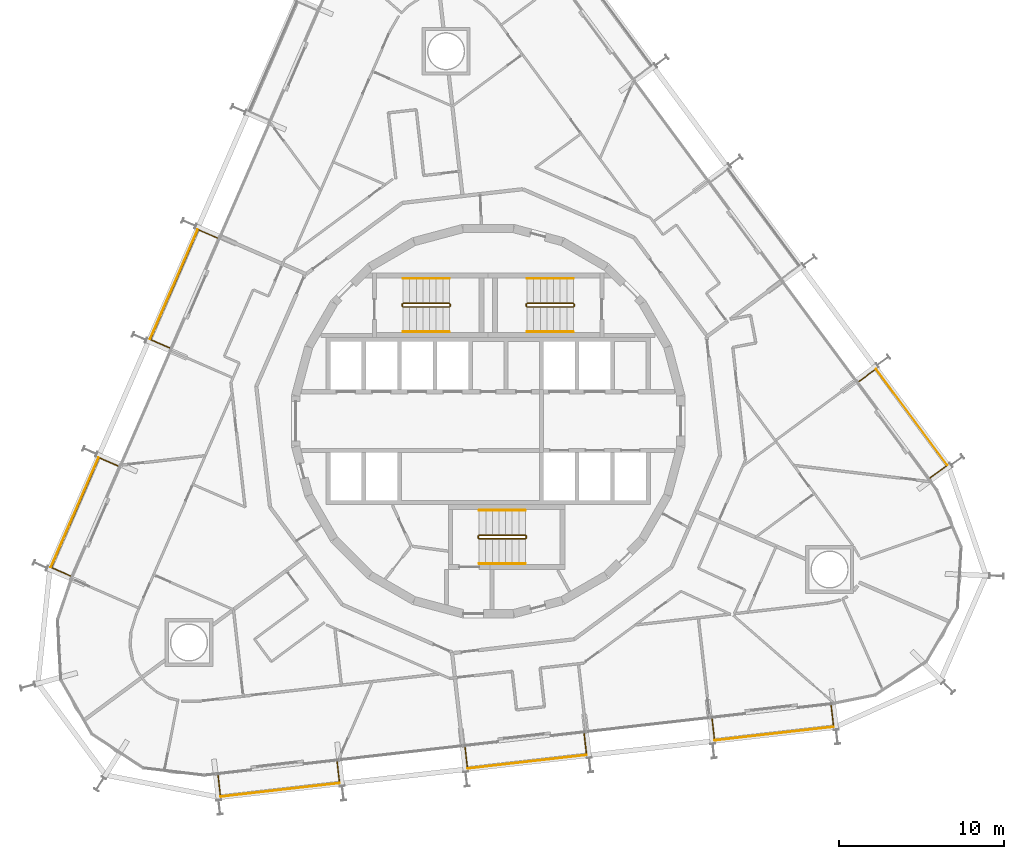
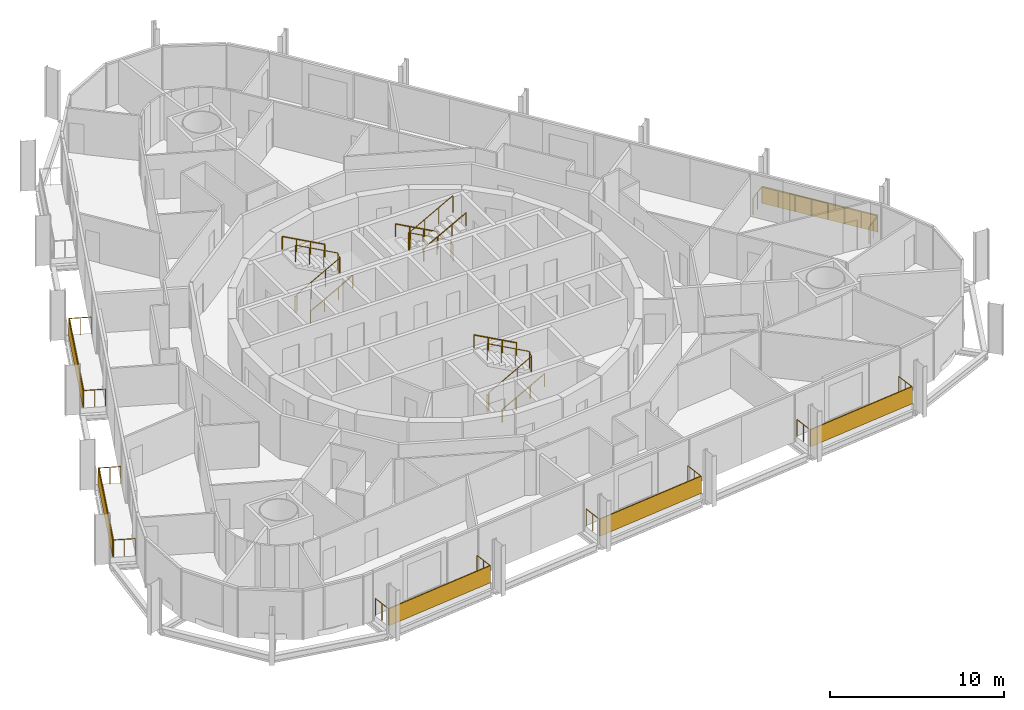
# One storey, part 23 of 24: 15 railings, 6 shading devices.
"""IFC4 building model written with IfcOpenShell, lengths in metres."""

from ifc_helpers import new_model, si_unit, direction, frame, origin, origin_2d, place, context, subcontext, project, spatial, rectangle, circle, extrude, material, layer, layer_set, type_object, element, save


model = new_model("IFC4")

# Units and contexts
model_context = context("Model", 3, precision=1e-05, world=origin(), true_north=direction((0.0, 1.0)))
body_context = subcontext(model_context, "Body", "Model", "MODEL_VIEW")
ifc_project = project(units=[si_unit("LENGTHUNIT", "METRE"), si_unit("AREAUNIT", "SQUARE_METRE"), si_unit("VOLUMEUNIT", "CUBIC_METRE"), si_unit("PLANEANGLEUNIT", "RADIAN"), si_unit("MASSUNIT", "GRAM", prefix="KILO")], contexts=[model_context])

# Site, building, storey
site_placement = place(None, origin())
site = spatial("IfcSite", under=ifc_project, at=site_placement, CompositionType="ELEMENT")
building_placement = place(site_placement, origin())
building = spatial("IfcBuilding", under=site, at=building_placement, Name="Spindle Arch Residences", CompositionType="ELEMENT")
storey_placement = place(building_placement, frame((0.0, 0.0, 94.199951171875)))
storey = spatial("IfcBuildingStorey", under=building, at=storey_placement, Name="L22", CompositionType="ELEMENT", Elevation=94.199951171875)

# Railings
ifc_material_1 = material(Name="Bronze anodised aluminium guard with glass infill", Category="aluminium")
railing_type_1 = type_object("IfcRailingType", Name="Balcony guard 1200", PredefinedType="GUARDRAIL", material=ifc_material_1)
railing_1_placement = place(storey_placement, frame((13.54150390625, -18.030517578125, 0.0)))
element("IfcRailing", 1, at=railing_1_placement, inside=storey, type_object=railing_type_1, Name="Guard L22 bay 2", PredefinedType="GUARDRAIL", context=body_context, shape_type="SweptSolid", body=[
    extrude(circle(Radius=0.02392578125, at=origin_2d()), frame((0.0, 0.0, 1.17578125), z_axis=(0.113089367196, -0.993584820248, 0.0), x_axis=(0.993584820248, 0.113089367196, 0.0)), (0.0, 0.0, 1.0), 1.25),
    extrude(circle(Radius=0.02392578125, at=origin_2d()), frame((0.141357421875, -1.241943359375, 1.17578125), z_axis=(0.993572236179, 0.113199874095, 0.0), x_axis=(-0.113199874095, 0.993572236179, 0.0)), (0.0, 0.0, 1.0), 7.248779296875),
    extrude(circle(Radius=0.02392578125, at=origin_2d()), frame((7.343505859375, -0.42138671875, 1.17578125), z_axis=(-0.113089367196, 0.993584820248, 0.0), x_axis=(-0.993584820248, -0.113089367196, 0.0)), (0.0, 0.0, 1.0), 1.25),
    extrude(circle(Radius=0.02099609375, at=origin_2d()), origin(), (0.0, 0.0, 1.0), 1.15185546875),
    extrude(circle(Radius=0.02099609375, at=origin_2d()), frame((0.07080078125, -0.62109375, 0.0)), (0.0, 0.0, 1.0), 1.15185546875),
    extrude(circle(Radius=0.02099609375, at=origin_2d()), frame((0.141357421875, -1.241943359375, 0.0)), (0.0, 0.0, 1.0), 1.15185546875),
    extrude(circle(Radius=0.02099609375, at=origin_2d()), frame((1.170166015625, -1.124755859375, 0.0)), (0.0, 0.0, 1.0), 1.15185546875),
    extrude(circle(Radius=0.02099609375, at=origin_2d()), frame((2.19921875, -1.007568359375, 0.0)), (0.0, 0.0, 1.0), 1.15185546875),
    extrude(circle(Radius=0.02099609375, at=origin_2d()), frame((3.22802734375, -0.890380859375, 0.0)), (0.0, 0.0, 1.0), 1.15185546875),
    extrude(circle(Radius=0.02099609375, at=origin_2d()), frame((4.2568359375, -0.77294921875, 0.0)), (0.0, 0.0, 1.0), 1.15185546875),
    extrude(circle(Radius=0.02099609375, at=origin_2d()), frame((5.28564453125, -0.65576171875, 0.0)), (0.0, 0.0, 1.0), 1.15185546875),
    extrude(circle(Radius=0.02099609375, at=origin_2d()), frame((6.314697265625, -0.53857421875, 0.0)), (0.0, 0.0, 1.0), 1.15185546875),
    extrude(circle(Radius=0.02099609375, at=origin_2d()), frame((7.343505859375, -0.42138671875, 0.0)), (0.0, 0.0, 1.0), 1.15185546875),
    extrude(circle(Radius=0.02099609375, at=origin_2d()), frame((7.27294921875, 0.19970703125, 0.0)), (0.0, 0.0, 1.0), 1.15185546875),
    extrude(circle(Radius=0.02099609375, at=origin_2d()), frame((7.2021484375, 0.820556640625, 0.0)), (0.0, 0.0, 1.0), 1.15185546875),
])
railing_2_placement = place(storey_placement, frame((26.733642578125, -3.433837890625, 0.0)))
element("IfcRailing", 2, at=railing_2_placement, inside=storey, type_object=railing_type_1, Name="Guard L22 bay 6", PredefinedType="GUARDRAIL", context=body_context, shape_type="SweptSolid", body=[
    extrude(circle(Radius=0.02392578125, at=origin_2d()), frame((0.0, 0.0, 1.17578125), z_axis=(0.803826957932, 0.594863195787, 0.0), x_axis=(-0.594863195787, 0.803826957932, 0.0)), (0.0, 0.0, 1.0), 1.250244140625),
    extrude(circle(Radius=0.02392578125, at=origin_2d()), frame((1.0048828125, 0.74365234375, 1.17578125), z_axis=(-0.594830382786, 0.803851239792, 0.0), x_axis=(-0.803851239792, -0.594830382786, 0.0)), (0.0, 0.0, 1.0), 7.248779296875),
    extrude(circle(Radius=0.02392578125, at=origin_2d()), frame((-3.306884765625, 6.570556640625, 1.17578125), z_axis=(-0.803920341668, -0.594736987459, 0.0), x_axis=(0.594736987459, -0.803920341668, 0.0)), (0.0, 0.0, 1.0), 1.25),
    extrude(circle(Radius=0.02099609375, at=origin_2d()), origin(), (0.0, 0.0, 1.0), 1.15185546875),
    extrude(circle(Radius=0.02099609375, at=origin_2d()), frame((0.50244140625, 0.371826171875, 0.0)), (0.0, 0.0, 1.0), 1.15185546875),
    extrude(circle(Radius=0.02099609375, at=origin_2d()), frame((1.0048828125, 0.74365234375, 0.0)), (0.0, 0.0, 1.0), 1.15185546875),
    extrude(circle(Radius=0.02099609375, at=origin_2d()), frame((0.388916015625, 1.576171875, 0.0)), (0.0, 0.0, 1.0), 1.15185546875),
    extrude(circle(Radius=0.02099609375, at=origin_2d()), frame((-0.22705078125, 2.408447265625, 0.0)), (0.0, 0.0, 1.0), 1.15185546875),
    extrude(circle(Radius=0.02099609375, at=origin_2d()), frame((-0.843017578125, 3.240966796875, 0.0)), (0.0, 0.0, 1.0), 1.15185546875),
    extrude(circle(Radius=0.02099609375, at=origin_2d()), frame((-1.458984375, 4.0732421875, 0.0)), (0.0, 0.0, 1.0), 1.15185546875),
    extrude(circle(Radius=0.02099609375, at=origin_2d()), frame((-2.074951171875, 4.90576171875, 0.0)), (0.0, 0.0, 1.0), 1.15185546875),
    extrude(circle(Radius=0.02099609375, at=origin_2d()), frame((-2.69091796875, 5.738037109375, 0.0)), (0.0, 0.0, 1.0), 1.15185546875),
    extrude(circle(Radius=0.02099609375, at=origin_2d()), frame((-3.306884765625, 6.570556640625, 0.0)), (0.0, 0.0, 1.0), 1.15185546875),
    extrude(circle(Radius=0.02099609375, at=origin_2d()), frame((-3.809326171875, 6.19873046875, 0.0)), (0.0, 0.0, 1.0), 1.15185546875),
    extrude(circle(Radius=0.02099609375, at=origin_2d()), frame((-4.311767578125, 5.8271484375, 0.0)), (0.0, 0.0, 1.0), 1.15185546875),
])
railing_3_placement = place(storey_placement, frame((-16.389404296875, 11.078369140625, 0.0)))
element("IfcRailing", 3, at=railing_3_placement, inside=storey, type_object=railing_type_1, Name="Guard L22 bay 16", PredefinedType="GUARDRAIL", context=body_context, shape_type="SweptSolid", body=[
    extrude(circle(Radius=0.02392578125, at=origin_2d()), frame((0.0, 0.0, 1.17578125), z_axis=(-0.917020365572, 0.398840380511, 0.0), x_axis=(-0.398840380511, -0.917020365572, 0.0)), (0.0, 0.0, 1.0), 1.25),
    extrude(circle(Radius=0.02392578125, at=origin_2d()), frame((-1.146240234375, 0.49853515625, 1.17578125), z_axis=(-0.398734732131, -0.917066308067, 0.0), x_axis=(0.917066308067, -0.398734732131, 0.0)), (0.0, 0.0, 1.0), 7.248779296875),
    extrude(circle(Radius=0.02392578125, at=origin_2d()), frame((-4.03662109375, -6.149169921875, 1.17578125), z_axis=(0.917091793142, -0.398676112844, 0.0), x_axis=(0.398676112844, 0.917091793142, 0.0)), (0.0, 0.0, 1.0), 1.249755859375),
    extrude(circle(Radius=0.02099609375, at=origin_2d()), origin(), (0.0, 0.0, 1.0), 1.15185546875),
    extrude(circle(Radius=0.02099609375, at=origin_2d()), frame((-0.5732421875, 0.249267578125, 0.0)), (0.0, 0.0, 1.0), 1.15185546875),
    extrude(circle(Radius=0.02099609375, at=origin_2d()), frame((-1.146240234375, 0.49853515625, 0.0)), (0.0, 0.0, 1.0), 1.15185546875),
    extrude(circle(Radius=0.02099609375, at=origin_2d()), frame((-1.55908203125, -0.451171875, 0.0)), (0.0, 0.0, 1.0), 1.15185546875),
    extrude(circle(Radius=0.02099609375, at=origin_2d()), frame((-1.97216796875, -1.40087890625, 0.0)), (0.0, 0.0, 1.0), 1.15185546875),
    extrude(circle(Radius=0.02099609375, at=origin_2d()), frame((-2.385009765625, -2.3505859375, 0.0)), (0.0, 0.0, 1.0), 1.15185546875),
    extrude(circle(Radius=0.02099609375, at=origin_2d()), frame((-2.7978515625, -3.300048828125, 0.0)), (0.0, 0.0, 1.0), 1.15185546875),
    extrude(circle(Radius=0.02099609375, at=origin_2d()), frame((-3.210693359375, -4.249755859375, 0.0)), (0.0, 0.0, 1.0), 1.15185546875),
    extrude(circle(Radius=0.02099609375, at=origin_2d()), frame((-3.623779296875, -5.199462890625, 0.0)), (0.0, 0.0, 1.0), 1.15185546875),
    extrude(circle(Radius=0.02099609375, at=origin_2d()), frame((-4.03662109375, -6.149169921875, 0.0)), (0.0, 0.0, 1.0), 1.15185546875),
    extrude(circle(Radius=0.02099609375, at=origin_2d()), frame((-3.46337890625, -6.3984375, 0.0)), (0.0, 0.0, 1.0), 1.15185546875),
    extrude(circle(Radius=0.02099609375, at=origin_2d()), frame((-2.890380859375, -6.6474609375, 0.0)), (0.0, 0.0, 1.0), 1.15185546875),
])
railing_4_placement = place(storey_placement, frame((-22.385498046875, -2.7119140625, 0.0)))
element("IfcRailing", 4, at=railing_4_placement, inside=storey, type_object=railing_type_1, Name="Guard L22 bay 18", PredefinedType="GUARDRAIL", context=body_context, shape_type="SweptSolid", body=[
    extrude(circle(Radius=0.02392578125, at=origin_2d()), frame((0.0, 0.0, 1.17578125), z_axis=(-0.917122831658, 0.398604706008, 0.0), x_axis=(-0.398604706008, -0.917122831658, 0.0)), (0.0, 0.0, 1.0), 1.25),
    extrude(circle(Radius=0.02392578125, at=origin_2d()), frame((-1.146484375, 0.498291015625, 1.17578125), z_axis=(-0.398747048027, -0.917060953094, 0.0), x_axis=(0.917060953094, -0.398747048027, 0.0)), (0.0, 0.0, 1.0), 7.248779296875),
    extrude(circle(Radius=0.02392578125, at=origin_2d()), frame((-4.036865234375, -6.149169921875, 1.17578125), z_axis=(0.917020365572, -0.398840380511, 0.0), x_axis=(0.398840380511, 0.917020365572, 0.0)), (0.0, 0.0, 1.0), 1.25),
    extrude(circle(Radius=0.02099609375, at=origin_2d()), origin(), (0.0, 0.0, 1.0), 1.15185546875),
    extrude(circle(Radius=0.02099609375, at=origin_2d()), frame((-0.5732421875, 0.2490234375, 0.0)), (0.0, 0.0, 1.0), 1.15185546875),
    extrude(circle(Radius=0.02099609375, at=origin_2d()), frame((-1.146484375, 0.498291015625, 0.0)), (0.0, 0.0, 1.0), 1.15185546875),
    extrude(circle(Radius=0.02099609375, at=origin_2d()), frame((-1.559326171875, -0.451416015625, 0.0)), (0.0, 0.0, 1.0), 1.15185546875),
    extrude(circle(Radius=0.02099609375, at=origin_2d()), frame((-1.972412109375, -1.40087890625, 0.0)), (0.0, 0.0, 1.0), 1.15185546875),
    extrude(circle(Radius=0.02099609375, at=origin_2d()), frame((-2.38525390625, -2.3505859375, 0.0)), (0.0, 0.0, 1.0), 1.15185546875),
    extrude(circle(Radius=0.02099609375, at=origin_2d()), frame((-2.798095703125, -3.30029296875, 0.0)), (0.0, 0.0, 1.0), 1.15185546875),
    extrude(circle(Radius=0.02099609375, at=origin_2d()), frame((-3.2109375, -4.25, 0.0)), (0.0, 0.0, 1.0), 1.15185546875),
    extrude(circle(Radius=0.02099609375, at=origin_2d()), frame((-3.6240234375, -5.199462890625, 0.0)), (0.0, 0.0, 1.0), 1.15185546875),
    extrude(circle(Radius=0.02099609375, at=origin_2d()), frame((-4.036865234375, -6.149169921875, 0.0)), (0.0, 0.0, 1.0), 1.15185546875),
    extrude(circle(Radius=0.02099609375, at=origin_2d()), frame((-3.4638671875, -6.3984375, 0.0)), (0.0, 0.0, 1.0), 1.15185546875),
    extrude(circle(Radius=0.02099609375, at=origin_2d()), frame((-2.890625, -6.647705078125, 0.0)), (0.0, 0.0, 1.0), 1.15185546875),
])
railing_5_placement = place(storey_placement, frame((-16.340576171875, -21.43505859375, 0.0)))
element("IfcRailing", 5, at=railing_5_placement, inside=storey, type_object=railing_type_1, Name="Guard L22 bay 22", PredefinedType="GUARDRAIL", context=body_context, shape_type="SweptSolid", body=[
    extrude(circle(Radius=0.02392578125, at=origin_2d()), frame((0.0, 0.0, 1.17578125), z_axis=(0.11328218126, -0.993562855289, 0.0), x_axis=(0.993562855289, 0.11328218126, 0.0)), (0.0, 0.0, 1.0), 1.25),
    extrude(circle(Radius=0.02392578125, at=origin_2d()), frame((0.1416015625, -1.241943359375, 1.17578125), z_axis=(0.993572236179, 0.113199874095, 0.0), x_axis=(-0.113199874095, 0.993572236179, 0.0)), (0.0, 0.0, 1.0), 7.248779296875),
    extrude(circle(Radius=0.02392578125, at=origin_2d()), frame((7.34375, -0.42138671875, 1.17578125), z_axis=(-0.11328218126, 0.993562855289, 0.0), x_axis=(-0.993562855289, -0.11328218126, 0.0)), (0.0, 0.0, 1.0), 1.25),
    extrude(circle(Radius=0.02099609375, at=origin_2d()), origin(), (0.0, 0.0, 1.0), 1.15185546875),
    extrude(circle(Radius=0.02099609375, at=origin_2d()), frame((0.07080078125, -0.62109375, 0.0)), (0.0, 0.0, 1.0), 1.15185546875),
    extrude(circle(Radius=0.02099609375, at=origin_2d()), frame((0.1416015625, -1.241943359375, 0.0)), (0.0, 0.0, 1.0), 1.15185546875),
    extrude(circle(Radius=0.02099609375, at=origin_2d()), frame((1.17041015625, -1.124755859375, 0.0)), (0.0, 0.0, 1.0), 1.15185546875),
    extrude(circle(Radius=0.02099609375, at=origin_2d()), frame((2.199462890625, -1.007568359375, 0.0)), (0.0, 0.0, 1.0), 1.15185546875),
    extrude(circle(Radius=0.02099609375, at=origin_2d()), frame((3.228271484375, -0.890380859375, 0.0)), (0.0, 0.0, 1.0), 1.15185546875),
    extrude(circle(Radius=0.02099609375, at=origin_2d()), frame((4.257080078125, -0.77294921875, 0.0)), (0.0, 0.0, 1.0), 1.15185546875),
    extrude(circle(Radius=0.02099609375, at=origin_2d()), frame((5.285888671875, -0.65576171875, 0.0)), (0.0, 0.0, 1.0), 1.15185546875),
    extrude(circle(Radius=0.02099609375, at=origin_2d()), frame((6.31494140625, -0.53857421875, 0.0)), (0.0, 0.0, 1.0), 1.15185546875),
    extrude(circle(Radius=0.02099609375, at=origin_2d()), frame((7.34375, -0.42138671875, 0.0)), (0.0, 0.0, 1.0), 1.15185546875),
    extrude(circle(Radius=0.02099609375, at=origin_2d()), frame((7.27294921875, 0.19970703125, 0.0)), (0.0, 0.0, 1.0), 1.15185546875),
    extrude(circle(Radius=0.02099609375, at=origin_2d()), frame((7.2021484375, 0.820556640625, 0.0)), (0.0, 0.0, 1.0), 1.15185546875),
])
railing_6_placement = place(storey_placement, frame((-1.399658203125, -19.73291015625, 0.0)))
element("IfcRailing", 6, at=railing_6_placement, inside=storey, type_object=railing_type_1, Name="Guard L22 bay 24", PredefinedType="GUARDRAIL", context=body_context, shape_type="SweptSolid", body=[
    extrude(circle(Radius=0.02392578125, at=origin_2d()), frame((0.0, 0.0, 1.17578125), z_axis=(0.11328218126, -0.993562855289, 0.0), x_axis=(0.993562855289, 0.11328218126, 0.0)), (0.0, 0.0, 1.0), 1.25),
    extrude(circle(Radius=0.02392578125, at=origin_2d()), frame((0.1416015625, -1.241943359375, 1.17578125), z_axis=(0.993572236179, 0.113199874095, 0.0), x_axis=(-0.113199874095, 0.993572236179, 0.0)), (0.0, 0.0, 1.0), 7.248779296875),
    extrude(circle(Radius=0.02392578125, at=origin_2d()), frame((7.34375, -0.42138671875, 1.17578125), z_axis=(-0.113067424691, 0.993587317488, 0.0), x_axis=(-0.993587317488, -0.113067424691, 0.0)), (0.0, 0.0, 1.0), 1.250244140625),
    extrude(circle(Radius=0.02099609375, at=origin_2d()), origin(), (0.0, 0.0, 1.0), 1.15185546875),
    extrude(circle(Radius=0.02099609375, at=origin_2d()), frame((0.07080078125, -0.62109375, 0.0)), (0.0, 0.0, 1.0), 1.15185546875),
    extrude(circle(Radius=0.02099609375, at=origin_2d()), frame((0.1416015625, -1.241943359375, 0.0)), (0.0, 0.0, 1.0), 1.15185546875),
    extrude(circle(Radius=0.02099609375, at=origin_2d()), frame((1.17041015625, -1.124755859375, 0.0)), (0.0, 0.0, 1.0), 1.15185546875),
    extrude(circle(Radius=0.02099609375, at=origin_2d()), frame((2.199462890625, -1.007568359375, 0.0)), (0.0, 0.0, 1.0), 1.15185546875),
    extrude(circle(Radius=0.02099609375, at=origin_2d()), frame((3.228271484375, -0.890380859375, 0.0)), (0.0, 0.0, 1.0), 1.15185546875),
    extrude(circle(Radius=0.02099609375, at=origin_2d()), frame((4.257080078125, -0.77294921875, 0.0)), (0.0, 0.0, 1.0), 1.15185546875),
    extrude(circle(Radius=0.02099609375, at=origin_2d()), frame((5.285888671875, -0.65576171875, 0.0)), (0.0, 0.0, 1.0), 1.15185546875),
    extrude(circle(Radius=0.02099609375, at=origin_2d()), frame((6.31494140625, -0.53857421875, 0.0)), (0.0, 0.0, 1.0), 1.15185546875),
    extrude(circle(Radius=0.02099609375, at=origin_2d()), frame((7.34375, -0.42138671875, 0.0)), (0.0, 0.0, 1.0), 1.15185546875),
    extrude(circle(Radius=0.02099609375, at=origin_2d()), frame((7.27294921875, 0.19970703125, 0.0)), (0.0, 0.0, 1.0), 1.15185546875),
    extrude(circle(Radius=0.02099609375, at=origin_2d()), frame((7.202392578125, 0.82080078125, 0.0)), (0.0, 0.0, 1.0), 1.15185546875),
])

# Shading devices
ifc_material_2 = material(Name="Bronze perforated cobogo screen")
ifc_layer = layer(ifc_material_2, 0.0390625)
ifc_layer_set = layer_set([ifc_layer], Name="Cobogo screen 1200")
shading_device_type = type_object("IfcShadingDeviceType", Name="Cobogo screen 1200", PredefinedType="USERDEFINED", material=ifc_layer_set)
for number, where, z_axis, x_axis, name in (
    (7, (17.28857421875, -18.90234375, 0.0), (0.0, 0.0, 1.0), (0.993571855677, 0.113203213768, 0.0), "Cobogo screen L22 bay 2"),
    (8, (25.615234375, 0.247314453125, 0.0), (0.0, 0.0, 1.0), (-0.594822786751, 0.803856860617, 0.0), "Cobogo screen L22 bay 6"),
    (9, (-19.01806640625, 8.269287109375, 0.0), (0.0, 0.0, 1.0), (-0.398749068925, -0.917060074385, 0.0), "Cobogo screen L22 bay 16"),
    (10, (-25.01416015625, -5.521240234375, 0.0), (0.0, 0.0, 1.0), (-0.398749068925, -0.917060074385, 0.0), "Cobogo screen L22 bay 18"),
    (11, (-12.59326171875, -22.30712890625, 0.0), (0.0, 0.0, 1.0), (0.993571855677, 0.113203213768, 0.0), "Cobogo screen L22 bay 22"),
    (12, (2.34765625, -20.604736328125, 0.0), (0.0, 0.0, 1.0), (0.993571855677, 0.113203213768, 0.0), "Cobogo screen L22 bay 24"),
):
    element("IfcShadingDevice", number, at=place(storey_placement, frame(where, z_axis=z_axis, x_axis=x_axis)), inside=storey, type_object=shading_device_type, Name=name, ObjectType="SCREEN", PredefinedType="USERDEFINED", context=body_context, shape_type="SweptSolid", body=[
        extrude(rectangle(XDim=7.248779296875, YDim=0.0390625, at=origin_2d()), origin(), (0.0, 0.0, 1.0), 1.199951171875),
    ])

# Railings
ifc_material_3 = material(Name="Steel, painted", Category="steel")
railing_type_2 = type_object("IfcRailingType", Name="Stair guard 1100", PredefinedType="GUARDRAIL", material=ifc_material_3)
railing_7_placement = place(storey_placement, frame((5.14990234375, 6.89990234375, 3.5)))
element("IfcRailing", 13, at=railing_7_placement, inside=storey, type_object=railing_type_2, Name="L22 ST1 stair guard 1", PredefinedType="GUARDRAIL", context=body_context, shape_type="SweptSolid", body=[
    extrude(circle(Radius=0.02392578125, at=origin_2d()), frame((0.0, 0.0, 1.17578125), z_axis=(-0.877357048833, 0.0, -0.479838106931), x_axis=(0.0, -1.0, 0.0)), (0.0, 0.0, 1.0), 3.191162109375),
    extrude(circle(Radius=0.02392578125, at=origin_2d()), frame((-2.7998046875, 0.0, -0.35546875), z_axis=(-0.217683172539, 0.217683172539, -0.951434744366), x_axis=(-0.707106781187, -0.707106781187, 0.0)), (0.0, 0.0, 1.0), 0.22998046875),
    extrude(circle(Radius=0.02392578125, at=origin_2d()), frame((-2.849853515625, 0.050048828125, -0.57421875), z_axis=(0.0, 1.0, 0.0), x_axis=(-1.0, 0.0, 0.0)), (0.0, 0.0, 1.0), 0.1201171875),
    extrude(circle(Radius=0.02392578125, at=origin_2d()), frame((-2.849853515625, 0.170166015625, -0.57421875), z_axis=(0.707106781187, 0.707106781187, 0.0), x_axis=(-0.707106781187, 0.707106781187, 0.0)), (0.0, 0.0, 1.0), 0.07080078125),
    extrude(circle(Radius=0.02392578125, at=origin_2d()), frame((-2.7998046875, 0.22021484375, -0.57421875), z_axis=(0.877357048833, 0.0, -0.479838106931), x_axis=(0.0, 1.0, 0.0)), (0.0, 0.0, 1.0), 3.191162109375),
    extrude(circle(Radius=0.02392578125, at=origin_2d()), frame((0.0, 0.22021484375, -2.10546875), z_axis=(0.217683172539, -0.217683172539, -0.951434744366), x_axis=(0.707106781187, 0.707106781187, 0.0)), (0.0, 0.0, 1.0), 0.22998046875),
    extrude(circle(Radius=0.02392578125, at=origin_2d()), frame((0.050048828125, 0.170166015625, -2.32421875), z_axis=(0.0, -1.0, 0.0), x_axis=(1.0, 0.0, 0.0)), (0.0, 0.0, 1.0), 0.1201171875),
    extrude(circle(Radius=0.02099609375, at=origin_2d()), origin(), (0.0, 0.0, 1.0), 1.15185546875),
    extrude(circle(Radius=0.02099609375, at=origin_2d()), frame((-0.933349609375, 0.0, -0.510498046875)), (0.0, 0.0, 1.0), 1.15185546875),
    extrude(circle(Radius=0.02099609375, at=origin_2d()), frame((-1.866455078125, 0.0, -1.020751953125)), (0.0, 0.0, 1.0), 1.15185546875),
    extrude(circle(Radius=0.02099609375, at=origin_2d()), frame((-2.7998046875, 0.0, -1.53125)), (0.0, 0.0, 1.0), 1.15185546875),
    extrude(circle(Radius=0.02099609375, at=origin_2d()), frame((-2.849853515625, 0.050048828125, -1.75)), (0.0, 0.0, 1.0), 1.15185546875),
    extrude(circle(Radius=0.02099609375, at=origin_2d()), frame((-2.849853515625, 0.170166015625, -1.75)), (0.0, 0.0, 1.0), 1.15185546875),
    extrude(circle(Radius=0.02099609375, at=origin_2d()), frame((-2.7998046875, 0.22021484375, -1.75)), (0.0, 0.0, 1.0), 1.15185546875),
    extrude(circle(Radius=0.02099609375, at=origin_2d()), frame((-1.866455078125, 0.22021484375, -2.260498046875)), (0.0, 0.0, 1.0), 1.15185546875),
    extrude(circle(Radius=0.02099609375, at=origin_2d()), frame((-0.933349609375, 0.22021484375, -2.770751953125)), (0.0, 0.0, 1.0), 1.15185546875),
    extrude(circle(Radius=0.02099609375, at=origin_2d()), frame((0.0, 0.22021484375, -3.28125)), (0.0, 0.0, 1.0), 1.15185546875),
    extrude(circle(Radius=0.02099609375, at=origin_2d()), frame((0.050048828125, 0.170166015625, -3.5)), (0.0, 0.0, 1.0), 1.15185546875),
    extrude(circle(Radius=0.02099609375, at=origin_2d()), frame((0.050048828125, 0.050048828125, -3.5)), (0.0, 0.0, 1.0), 1.15185546875),
])
railing_8_placement = place(storey_placement, frame((-5.14990234375, 7.1201171875, 3.5)))
element("IfcRailing", 14, at=railing_8_placement, inside=storey, type_object=railing_type_2, Name="L22 ST2 stair guard 1", PredefinedType="GUARDRAIL", context=body_context, shape_type="SweptSolid", body=[
    extrude(circle(Radius=0.02392578125, at=origin_2d()), frame((0.0, 0.0, 1.17578125), z_axis=(0.877357048833, 0.0, -0.479838106931), x_axis=(0.0, 1.0, 0.0)), (0.0, 0.0, 1.0), 3.191162109375),
    extrude(circle(Radius=0.02392578125, at=origin_2d()), frame((2.7998046875, 0.0, -0.35546875), z_axis=(0.217683172539, -0.217683172539, -0.951434744366), x_axis=(0.707106781187, 0.707106781187, 0.0)), (0.0, 0.0, 1.0), 0.22998046875),
    extrude(circle(Radius=0.02392578125, at=origin_2d()), frame((2.849853515625, -0.050048828125, -0.57421875), z_axis=(0.0, -1.0, 0.0), x_axis=(1.0, 0.0, 0.0)), (0.0, 0.0, 1.0), 0.1201171875),
    extrude(circle(Radius=0.02392578125, at=origin_2d()), frame((2.849853515625, -0.170166015625, -0.57421875), z_axis=(-0.707106781187, -0.707106781187, 0.0), x_axis=(0.707106781187, -0.707106781187, 0.0)), (0.0, 0.0, 1.0), 0.07080078125),
    extrude(circle(Radius=0.02392578125, at=origin_2d()), frame((2.7998046875, -0.22021484375, -0.57421875), z_axis=(-0.877357048833, 0.0, -0.479838106931), x_axis=(0.0, -1.0, 0.0)), (0.0, 0.0, 1.0), 3.191162109375),
    extrude(circle(Radius=0.02392578125, at=origin_2d()), frame((0.0, -0.22021484375, -2.10546875), z_axis=(-0.217683172539, 0.217683172539, -0.951434744366), x_axis=(-0.707106781187, -0.707106781187, 0.0)), (0.0, 0.0, 1.0), 0.22998046875),
    extrude(circle(Radius=0.02392578125, at=origin_2d()), frame((-0.050048828125, -0.170166015625, -2.32421875), z_axis=(0.0, 1.0, 0.0), x_axis=(-1.0, 0.0, 0.0)), (0.0, 0.0, 1.0), 0.1201171875),
    extrude(circle(Radius=0.02099609375, at=origin_2d()), origin(), (0.0, 0.0, 1.0), 1.15185546875),
    extrude(circle(Radius=0.02099609375, at=origin_2d()), frame((0.933349609375, 0.0, -0.510498046875)), (0.0, 0.0, 1.0), 1.15185546875),
    extrude(circle(Radius=0.02099609375, at=origin_2d()), frame((1.866455078125, 0.0, -1.020751953125)), (0.0, 0.0, 1.0), 1.15185546875),
    extrude(circle(Radius=0.02099609375, at=origin_2d()), frame((2.7998046875, 0.0, -1.53125)), (0.0, 0.0, 1.0), 1.15185546875),
    extrude(circle(Radius=0.02099609375, at=origin_2d()), frame((2.849853515625, -0.050048828125, -1.75)), (0.0, 0.0, 1.0), 1.15185546875),
    extrude(circle(Radius=0.02099609375, at=origin_2d()), frame((2.849853515625, -0.170166015625, -1.75)), (0.0, 0.0, 1.0), 1.15185546875),
    extrude(circle(Radius=0.02099609375, at=origin_2d()), frame((2.7998046875, -0.22021484375, -1.75)), (0.0, 0.0, 1.0), 1.15185546875),
    extrude(circle(Radius=0.02099609375, at=origin_2d()), frame((1.866455078125, -0.22021484375, -2.260498046875)), (0.0, 0.0, 1.0), 1.15185546875),
    extrude(circle(Radius=0.02099609375, at=origin_2d()), frame((0.933349609375, -0.22021484375, -2.770751953125)), (0.0, 0.0, 1.0), 1.15185546875),
    extrude(circle(Radius=0.02099609375, at=origin_2d()), frame((0.0, -0.22021484375, -3.28125)), (0.0, 0.0, 1.0), 1.15185546875),
    extrude(circle(Radius=0.02099609375, at=origin_2d()), frame((-0.050048828125, -0.170166015625, -3.5)), (0.0, 0.0, 1.0), 1.15185546875),
    extrude(circle(Radius=0.02099609375, at=origin_2d()), frame((-0.050048828125, -0.050048828125, -3.5)), (0.0, 0.0, 1.0), 1.15185546875),
])
railing_9_placement = place(storey_placement, frame((-0.550048828125, -6.89990234375, 3.5)))
element("IfcRailing", 15, at=railing_9_placement, inside=storey, type_object=railing_type_2, Name="L22 ST3 stair guard 1", PredefinedType="GUARDRAIL", context=body_context, shape_type="SweptSolid", body=[
    extrude(circle(Radius=0.02392578125, at=origin_2d()), frame((0.0, 0.0, 1.17578125), z_axis=(0.877374661878, 0.0, -0.479805901063), x_axis=(0.0, 1.0, 0.0)), (0.0, 0.0, 1.0), 3.19140625),
    extrude(circle(Radius=0.02392578125, at=origin_2d()), frame((2.800048828125, 0.0, -0.35546875), z_axis=(0.217683172539, -0.217683172539, -0.951434744366), x_axis=(0.707106781187, 0.707106781187, 0.0)), (0.0, 0.0, 1.0), 0.22998046875),
    extrude(circle(Radius=0.02392578125, at=origin_2d()), frame((2.85009765625, -0.050048828125, -0.57421875), z_axis=(0.0, -1.0, 0.0), x_axis=(1.0, 0.0, 0.0)), (0.0, 0.0, 1.0), 0.1201171875),
    extrude(circle(Radius=0.02392578125, at=origin_2d()), frame((2.85009765625, -0.170166015625, -0.57421875), z_axis=(-0.707106781187, -0.707106781187, 0.0), x_axis=(0.707106781187, -0.707106781187, 0.0)), (0.0, 0.0, 1.0), 0.07080078125),
    extrude(circle(Radius=0.02392578125, at=origin_2d()), frame((2.800048828125, -0.22021484375, -0.57421875), z_axis=(-0.877374661878, 0.0, -0.479805901063), x_axis=(0.0, -1.0, 0.0)), (0.0, 0.0, 1.0), 3.19140625),
    extrude(circle(Radius=0.02392578125, at=origin_2d()), frame((0.0, -0.22021484375, -2.10546875), z_axis=(-0.217683172539, 0.217683172539, -0.951434744366), x_axis=(-0.707106781187, -0.707106781187, 0.0)), (0.0, 0.0, 1.0), 0.22998046875),
    extrude(circle(Radius=0.02392578125, at=origin_2d()), frame((-0.050048828125, -0.170166015625, -2.32421875), z_axis=(0.0, 1.0, 0.0), x_axis=(-1.0, 0.0, 0.0)), (0.0, 0.0, 1.0), 0.1201171875),
    extrude(circle(Radius=0.02099609375, at=origin_2d()), origin(), (0.0, 0.0, 1.0), 1.15185546875),
    extrude(circle(Radius=0.02099609375, at=origin_2d()), frame((0.933349609375, 0.0, -0.510498046875)), (0.0, 0.0, 1.0), 1.15185546875),
    extrude(circle(Radius=0.02099609375, at=origin_2d()), frame((1.86669921875, 0.0, -1.020751953125)), (0.0, 0.0, 1.0), 1.15185546875),
    extrude(circle(Radius=0.02099609375, at=origin_2d()), frame((2.800048828125, 0.0, -1.53125)), (0.0, 0.0, 1.0), 1.15185546875),
    extrude(circle(Radius=0.02099609375, at=origin_2d()), frame((2.85009765625, -0.050048828125, -1.75)), (0.0, 0.0, 1.0), 1.15185546875),
    extrude(circle(Radius=0.02099609375, at=origin_2d()), frame((2.85009765625, -0.170166015625, -1.75)), (0.0, 0.0, 1.0), 1.15185546875),
    extrude(circle(Radius=0.02099609375, at=origin_2d()), frame((2.800048828125, -0.22021484375, -1.75)), (0.0, 0.0, 1.0), 1.15185546875),
    extrude(circle(Radius=0.02099609375, at=origin_2d()), frame((1.86669921875, -0.22021484375, -2.260498046875)), (0.0, 0.0, 1.0), 1.15185546875),
    extrude(circle(Radius=0.02099609375, at=origin_2d()), frame((0.933349609375, -0.22021484375, -2.770751953125)), (0.0, 0.0, 1.0), 1.15185546875),
    extrude(circle(Radius=0.02099609375, at=origin_2d()), frame((0.0, -0.22021484375, -3.28125)), (0.0, 0.0, 1.0), 1.15185546875),
    extrude(circle(Radius=0.02099609375, at=origin_2d()), frame((-0.050048828125, -0.170166015625, -3.5)), (0.0, 0.0, 1.0), 1.15185546875),
    extrude(circle(Radius=0.02099609375, at=origin_2d()), frame((-0.050048828125, -0.050048828125, -3.5)), (0.0, 0.0, 1.0), 1.15185546875),
])
ifc_material_4 = material(Name="Steel, painted", Category="steel")
railing_type_3 = type_object("IfcRailingType", Name="Stair handrail 900", PredefinedType="HANDRAIL", material=ifc_material_4)
railing_10_placement = place(storey_placement, frame((5.14990234375, 8.6201171875, 0.21875)))
element("IfcRailing", 16, at=railing_10_placement, inside=storey, type_object=railing_type_3, Name="L22 ST1 stair handrail 1", PredefinedType="HANDRAIL", context=body_context, shape_type="SweptSolid", body=[
    extrude(circle(Radius=0.02392578125, at=origin_2d()), frame((0.0, 0.0, 0.8759765625), z_axis=(-0.877357048833, 0.0, 0.479838106931), x_axis=(0.0, -1.0, 0.0)), (0.0, 0.0, 1.0), 3.191162109375),
    extrude(circle(Radius=0.02099609375, at=origin_2d()), origin(), (0.0, 0.0, 1.0), 0.851806640625),
    extrude(circle(Radius=0.02099609375, at=origin_2d()), frame((-0.933349609375, 0.0, 0.510498046875)), (0.0, 0.0, 1.0), 0.851806640625),
    extrude(circle(Radius=0.02099609375, at=origin_2d()), frame((-1.866455078125, 0.0, 1.020751953125)), (0.0, 0.0, 1.0), 0.851806640625),
    extrude(circle(Radius=0.02099609375, at=origin_2d()), frame((-2.7998046875, 0.0, 1.53125)), (0.0, 0.0, 1.0), 0.851806640625),
])
for number, where, name in (
    (17, (2.35009765625, 5.39990234375, 1.96875), "L22 ST1 stair handrail 2"),
    (18, (-5.14990234375, 5.39990234375, 0.21875), "L22 ST2 stair handrail 1"),
):
    element("IfcRailing", number, at=place(storey_placement, frame(where)), inside=storey, type_object=railing_type_3, Name=name, PredefinedType="HANDRAIL", context=body_context, shape_type="SweptSolid", body=[
        extrude(circle(Radius=0.02392578125, at=origin_2d()), frame((0.0, 0.0, 0.8759765625), z_axis=(0.877357048833, 0.0, 0.479838106931), x_axis=(0.0, 1.0, 0.0)), (0.0, 0.0, 1.0), 3.191162109375),
        extrude(circle(Radius=0.02099609375, at=origin_2d()), origin(), (0.0, 0.0, 1.0), 0.851806640625),
        extrude(circle(Radius=0.02099609375, at=origin_2d()), frame((0.933349609375, 0.0, 0.510498046875)), (0.0, 0.0, 1.0), 0.851806640625),
        extrude(circle(Radius=0.02099609375, at=origin_2d()), frame((1.866455078125, 0.0, 1.020751953125)), (0.0, 0.0, 1.0), 0.851806640625),
        extrude(circle(Radius=0.02099609375, at=origin_2d()), frame((2.7998046875, 0.0, 1.53125)), (0.0, 0.0, 1.0), 0.851806640625),
    ])
railing_11_placement = place(storey_placement, frame((-2.35009765625, 8.6201171875, 1.96875)))
element("IfcRailing", 19, at=railing_11_placement, inside=storey, type_object=railing_type_3, Name="L22 ST2 stair handrail 2", PredefinedType="HANDRAIL", context=body_context, shape_type="SweptSolid", body=[
    extrude(circle(Radius=0.02392578125, at=origin_2d()), frame((0.0, 0.0, 0.8759765625), z_axis=(-0.877357048833, 0.0, 0.479838106931), x_axis=(0.0, -1.0, 0.0)), (0.0, 0.0, 1.0), 3.191162109375),
    extrude(circle(Radius=0.02099609375, at=origin_2d()), origin(), (0.0, 0.0, 1.0), 0.851806640625),
    extrude(circle(Radius=0.02099609375, at=origin_2d()), frame((-0.933349609375, 0.0, 0.510498046875)), (0.0, 0.0, 1.0), 0.851806640625),
    extrude(circle(Radius=0.02099609375, at=origin_2d()), frame((-1.866455078125, 0.0, 1.020751953125)), (0.0, 0.0, 1.0), 0.851806640625),
    extrude(circle(Radius=0.02099609375, at=origin_2d()), frame((-2.7998046875, 0.0, 1.53125)), (0.0, 0.0, 1.0), 0.851806640625),
])
railing_12_placement = place(storey_placement, frame((-0.550048828125, -8.6201171875, 0.21875)))
element("IfcRailing", 20, at=railing_12_placement, inside=storey, type_object=railing_type_3, Name="L22 ST3 stair handrail 1", PredefinedType="HANDRAIL", context=body_context, shape_type="SweptSolid", body=[
    extrude(circle(Radius=0.02392578125, at=origin_2d()), frame((0.0, 0.0, 0.8759765625), z_axis=(0.877374661878, 0.0, 0.479805901063), x_axis=(0.0, 1.0, 0.0)), (0.0, 0.0, 1.0), 3.19140625),
    extrude(circle(Radius=0.02099609375, at=origin_2d()), origin(), (0.0, 0.0, 1.0), 0.851806640625),
    extrude(circle(Radius=0.02099609375, at=origin_2d()), frame((0.933349609375, 0.0, 0.510498046875)), (0.0, 0.0, 1.0), 0.851806640625),
    extrude(circle(Radius=0.02099609375, at=origin_2d()), frame((1.86669921875, 0.0, 1.020751953125)), (0.0, 0.0, 1.0), 0.851806640625),
    extrude(circle(Radius=0.02099609375, at=origin_2d()), frame((2.800048828125, 0.0, 1.53125)), (0.0, 0.0, 1.0), 0.851806640625),
])
railing_13_placement = place(storey_placement, frame((2.25, -5.39990234375, 1.96875)))
element("IfcRailing", 21, at=railing_13_placement, inside=storey, type_object=railing_type_3, Name="L22 ST3 stair handrail 2", PredefinedType="HANDRAIL", context=body_context, shape_type="SweptSolid", body=[
    extrude(circle(Radius=0.02392578125, at=origin_2d()), frame((0.0, 0.0, 0.8759765625), z_axis=(-0.877374661878, 0.0, 0.479805901063), x_axis=(0.0, -1.0, 0.0)), (0.0, 0.0, 1.0), 3.19140625),
    extrude(circle(Radius=0.02099609375, at=origin_2d()), origin(), (0.0, 0.0, 1.0), 0.851806640625),
    extrude(circle(Radius=0.02099609375, at=origin_2d()), frame((-0.933349609375, 0.0, 0.510498046875)), (0.0, 0.0, 1.0), 0.851806640625),
    extrude(circle(Radius=0.02099609375, at=origin_2d()), frame((-1.86669921875, 0.0, 1.020751953125)), (0.0, 0.0, 1.0), 0.851806640625),
    extrude(circle(Radius=0.02099609375, at=origin_2d()), frame((-2.800048828125, 0.0, 1.53125)), (0.0, 0.0, 1.0), 0.851806640625),
])

save(model, "model.ifc")
